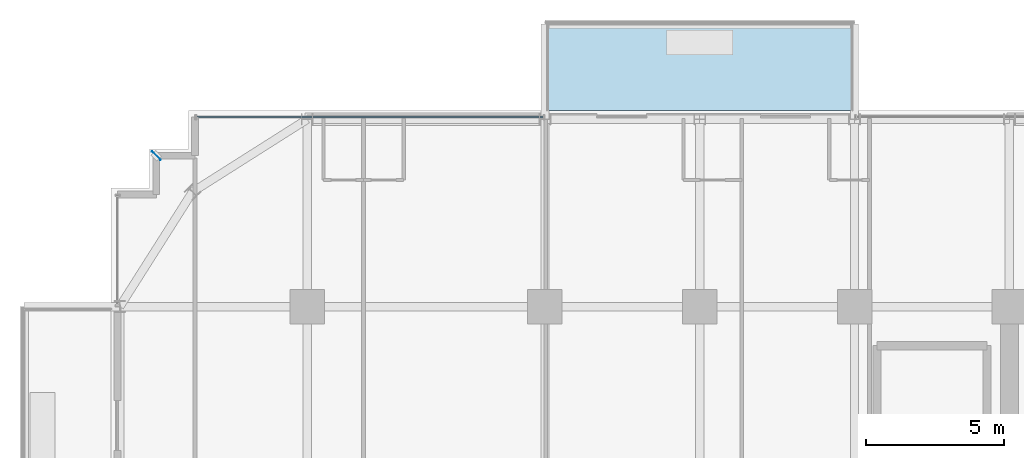
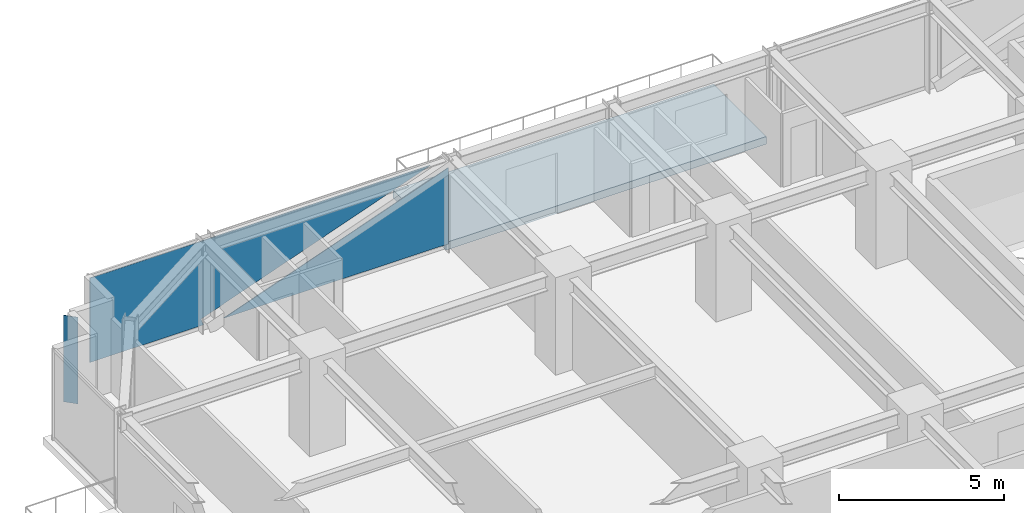
# One storey, part 30 of 39: 2 plates, 1 slab, 1 element without a shape of its own.
"""IFC4 building model written with IfcOpenShell, lengths in metres."""

from ifc_helpers import new_model, si_unit, direction, frame, origin, origin_2d, place, context, subcontext, project, spatial, polyline, rectangle, outline, extrude, source, transform, mapped, material, layer, layer_set, type_object, element, aggregate, save


model = new_model("IFC4")

# Units and contexts
model_context = context("Model", 3, precision=1e-05, world=origin(), true_north=direction((0.0, 1.0)))
body_context = subcontext(model_context, "Body", "Model", "MODEL_VIEW")
ifc_project = project(units=[si_unit("LENGTHUNIT", "METRE"), si_unit("AREAUNIT", "SQUARE_METRE"), si_unit("VOLUMEUNIT", "CUBIC_METRE"), si_unit("PLANEANGLEUNIT", "RADIAN"), si_unit("MASSUNIT", "GRAM", prefix="KILO")], contexts=[model_context])

# Site, building, storey
site_placement = place(None, origin())
site = spatial("IfcSite", under=ifc_project, at=site_placement, CompositionType="ELEMENT")
building_placement = place(site_placement, origin())
building = spatial("IfcBuilding", under=site, at=building_placement, Name="Nahalor Promenade Grand Hotel", CompositionType="ELEMENT")
storey_placement = place(building_placement, frame((0.0, 0.0, 135.75)))
storey = spatial("IfcBuildingStorey", under=building, at=storey_placement, Name="L34", CompositionType="ELEMENT", Elevation=135.75)

# Curtain wall, plate
ifc_material_1 = material(Name="Anodised Bronze Aluminium EN AW-6063 T6", Category="aluminium")
curtain_wall_type = type_object("IfcCurtainWallType", Name="CW2 Typical Hotel Flush Bronze Unitised Curtain Wall", PredefinedType="USERDEFINED", material=ifc_material_1)
curtain_wall_placement = place(storey_placement, origin())
curtain_wall = element("IfcCurtainWall", 1, at=curtain_wall_placement, inside=storey, type_object=curtain_wall_type, Name="L34 Curtain Wall CW-L34-N-1", ObjectType="UNITISED_CURTAIN_WALL", PredefinedType="USERDEFINED")
ifc_material_2 = material(Name="Low-E Laminated Solar Glass", Category="glass")
ifc_layer_1 = layer(ifc_material_2, 0.028076171875)
ifc_layer_set_1 = layer_set([ifc_layer_1], Name="Low-E Laminated Solar Glass")
plate_type_1 = type_object("IfcPlateType", Name="CWP2 Bronze Low-E Vision IGU 28mm", PredefinedType="CURTAIN_PANEL", material=ifc_layer_set_1)
plate_1_placement = place(storey_placement, frame((-14.72998046875, 23.860107421875, 0.1298828125), z_axis=(0.0, 0.0, 1.0), x_axis=(1.0, 0.0, 0.0)))
plate_1 = element("IfcPlate", 2, at=plate_1_placement, type_object=plate_type_1, Name="CW-L34-N-1 Glazing Panel 0-0", PredefinedType="CURTAIN_PANEL", context=body_context, shape_type="SweptSolid", body=[
    extrude(outline(polyline([(-6.264892578125, 3.1201171875), (-6.264892578125, 0.0), (-2.289306640625, 0.0), (-2.3779296875, 0.246826171875), (5.644287109375, 3.1201171875), (-6.264892578125, 3.1201171875)])), frame((0.0, 0.01416015625, 0.0), z_axis=(0.0, -1.0, 0.0), x_axis=(1.0, 0.0, 0.0)), (0.0, 0.0, 1.0), 0.028076171875),
    extrude(outline(polyline([(-1.58447265625, 0.0), (6.264892578125, 0.0), (6.264892578125, 2.811279296875), (-1.58447265625, 0.0)])), frame((0.0, 0.01416015625, 0.0), z_axis=(0.0, -1.0, 0.0), x_axis=(1.0, 0.0, 0.0)), (0.0, 0.0, 1.0), 0.028076171875),
])
aggregate(curtain_wall, [plate_1])

# Slab
ifc_material_3 = material(Name="Concrete B-50 (C40/50)", Category="concrete")
ifc_layer_2 = layer(ifc_material_3, 0.280029296875)
ifc_layer_set_2 = layer_set([ifc_layer_2], Name="Concrete B-50 (C40/50)")
slab_type = type_object("IfcSlabType", Name="Slab-Balcony-280", PredefinedType="FLOOR", material=ifc_layer_set_2)
slab_placement = place(storey_placement, frame((0.0, 0.0, -0.280029296875)))
element("IfcSlab", 3, at=slab_placement, inside=storey, type_object=slab_type, Name="L34 Cantilevered Planted Balcony 1", PredefinedType="FLOOR", context=body_context, shape_type="SweptSolid", body=[
    extrude(outline(polyline([(-8.39990234375, 24.10009765625), (2.800048828125, 24.10009765625), (2.800048828125, 27.300048828125), (-8.39990234375, 27.300048828125), (-8.39990234375, 24.10009765625)])), origin(), (0.0, 0.0, 1.0), 0.280029296875),
])

# Plate
ifc_layer_3 = layer(ifc_material_1, 0.02001953125)
ifc_layer_set_3 = layer_set([ifc_layer_3], Name="Anodised Bronze Aluminium EN AW-6063 T6")
plate_type_2 = type_object("IfcPlateType", Name="Plate-CornerFin-20", PredefinedType="SHEET", material=ifc_layer_set_3)
shared_shape = source(origin(), body_context, "Body", "SweptSolid", [
    extrude(rectangle(XDim=0.449951171875, YDim=0.02001953125, at=origin_2d()), origin(), (0.0, 0.0, 1.0), 3.199951171875),
])
plate_2_placement = place(storey_placement, frame((-22.4599609375, 22.4599609375, 0.0), z_axis=(0.0, 0.0, 1.0), x_axis=(-0.707106781187, 0.707106781187, 0.0)))
element("IfcPlate", 4, at=plate_2_placement, inside=storey, type_object=plate_type_2, Name="FIN-L34-NW", PredefinedType="SHEET", context=body_context, shape_type="MappedRepresentation", body=[
    mapped(shared_shape, transform((0.0, 0.0, 0.0), scale=1.0)),
])

save(model, "model.ifc")
